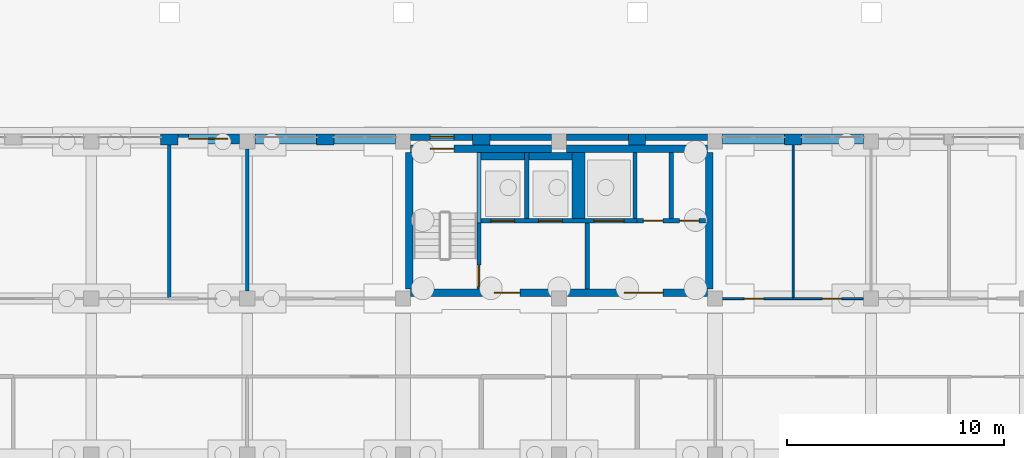
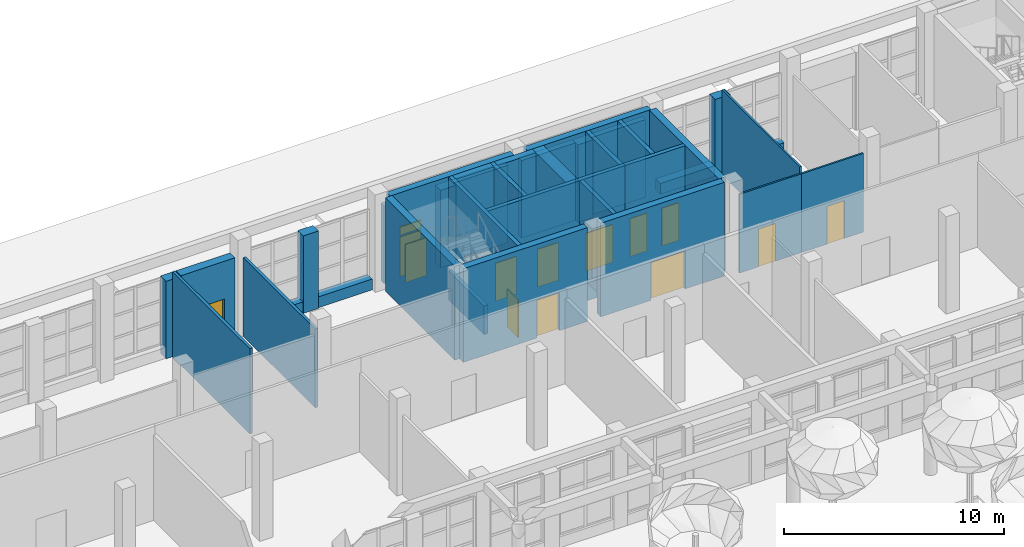
# One storey, part 50 of 80: 36 walls, 13 doors, 1 window, 14 openings.
"""IFC4 building model written with IfcOpenShell, lengths in metres."""

from ifc_helpers import new_model, si_unit, direction, frame, frame_2d, origin, place, context, subcontext, project, spatial, rectangle, extrude, material, layer, layer_set, type_object, element, fill, save


model = new_model("IFC4")

# Units and contexts
model_context = context("Model", 3, precision=1e-05, world=origin(), true_north=direction((0.0, 1.0)))
body_context = subcontext(model_context, "Body", "Model", "MODEL_VIEW")
ifc_project = project(units=[si_unit("LENGTHUNIT", "METRE"), si_unit("AREAUNIT", "SQUARE_METRE"), si_unit("VOLUMEUNIT", "CUBIC_METRE"), si_unit("PLANEANGLEUNIT", "RADIAN"), si_unit("MASSUNIT", "GRAM", prefix="KILO")], contexts=[model_context])

# Site, building, storey
site_placement = place(None, origin())
site = spatial("IfcSite", under=ifc_project, at=site_placement, CompositionType="ELEMENT")
building_placement = place(site_placement, origin())
building = spatial("IfcBuilding", under=site, at=building_placement, Name="Ussher Court Research Institute", CompositionType="ELEMENT")
storey_placement = place(building_placement, origin())
storey = spatial("IfcBuildingStorey", under=building, at=storey_placement, Name="L00", CompositionType="ELEMENT", Elevation=0.0)

# Wall, openings, door, window
ifc_material_1 = material(Name="Limestone facing on blockwork", Category="masonry")
ifc_layer_1 = layer(ifc_material_1, 0.300048828125)
ifc_layer_set_1 = layer_set([ifc_layer_1], Name="Limestone facing on blockwork")
wall_type_1 = type_object("IfcWallType", Name="External wall 300 stair enclosure", PredefinedType="SOLIDWALL", material=ifc_layer_set_1)
wall_1_placement = place(storey_placement, frame((46.550048828125, 90.64990234375, 0.0), z_axis=(0.0, 0.0, 1.0), x_axis=(1.0, 0.0, 0.0)))
wall_1 = element("IfcWall", 1, at=wall_1_placement, inside=storey, type_object=wall_type_1, Name="External wall EW5 L00", PredefinedType="SOLIDWALL", context=body_context, shape_type="SweptSolid", body=[
    extrude(rectangle(XDim=2.849853515625, YDim=0.300048828125, at=frame_2d((1.4248046875, 0.0))), origin(), (0.0, 0.0, 1.0), 4.300048828125),
])
opening_1_placement = place(wall_1_placement, frame((0.89990234375, 0.0, 0.0)))
opening_1 = element("IfcOpeningElement", 2, at=opening_1_placement, cuts=wall_1, Name="Opening DX20", PredefinedType="OPENING", context=body_context, shape_type="SweptSolid", body=[
    extrude(rectangle(XDim=1.10009765625, YDim=2.199951171875, at=frame_2d((0.550048828125, 1.10009765625))), frame((0.0, 0.16015625, 0.0), z_axis=(0.0, -1.0, 0.0), x_axis=(1.0, 0.0, 0.0)), (0.0, 0.0, 1.0), 0.320068359375),
])
opening_2_placement = place(wall_1_placement, frame((0.89990234375, 0.0, 2.300048828125)))
opening_2 = element("IfcOpeningElement", 3, at=opening_2_placement, cuts=wall_1, Name="Opening W18", PredefinedType="OPENING", context=body_context, shape_type="SweptSolid", body=[
    extrude(rectangle(XDim=1.10009765625, YDim=0.449951171875, at=frame_2d((0.550048828125, 0.22509765625))), frame((0.0, 0.16015625, 0.0), z_axis=(0.0, -1.0, 0.0), x_axis=(1.0, 0.0, 0.0)), (0.0, 0.0, 1.0), 0.320068359375),
])
ifc_material_2 = material(Name="Painted steel", Category="steel")
door_type_1 = type_object("IfcDoorType", Name="Stair discharge door 1100x2200", OperationType="SINGLE_SWING_LEFT", PredefinedType="DOOR", material=ifc_material_2)
door_1_placement = place(opening_1_placement, origin())
door_1 = element("IfcDoor", 4, at=door_1_placement, inside=storey, type_object=door_type_1, Name="Door DX20", OperationType="SINGLE_SWING_LEFT", OverallHeight=2.199951171875, OverallWidth=1.10009765625, PredefinedType="DOOR", context=body_context, shape_type="SweptSolid", body=[
    extrude(rectangle(XDim=1.10009765625, YDim=2.199951171875, at=frame_2d((0.550048828125, 1.10009765625))), frame((0.0, 0.02490234375, 0.0), z_axis=(0.0, -1.0, 0.0), x_axis=(1.0, 0.0, 0.0)), (0.0, 0.0, 1.0), 0.050048828125),
])
fill(opening_1, door_1)
ifc_material_3 = material(Name="Bronze anodised aluminium with double glazing", Category="aluminium")
window_type = type_object("IfcWindowType", Name="Stair discharge transom light 1100x450", PartitioningType="SINGLE_PANEL", PredefinedType="WINDOW", material=ifc_material_3)
window_placement = place(opening_2_placement, origin())
window = element("IfcWindow", 5, at=window_placement, inside=storey, type_object=window_type, Name="Window W18 L00", OverallHeight=0.449951171875, OverallWidth=1.10009765625, PartitioningType="SINGLE_PANEL", PredefinedType="WINDOW", context=body_context, shape_type="SweptSolid", body=[
    extrude(rectangle(XDim=1.10009765625, YDim=0.449951171875, at=frame_2d((0.550048828125, 0.22509765625))), frame((0.0, 0.030029296875, 0.0), z_axis=(0.0, -1.0, 0.0), x_axis=(1.0, 0.0, 0.0)), (0.0, 0.0, 1.0), 0.06005859375),
])
fill(opening_2, window)

# Walls
for number, where, z_axis, x_axis, name in (
    (6, (50.199951171875, 90.64990234375, 0.0), (0.0, 0.0, 1.0), (1.0, 0.0, 0.0), "External wall EW5 L00"),
    (7, (53.75, 90.64990234375, 0.0), (0.0, 0.0, 1.0), (1.0, 0.0, 0.0), "External wall EW5 L00"),
    (8, (57.39990234375, 90.64990234375, 0.0), (0.0, 0.0, 1.0), (1.0, 0.0, 0.0), "External wall EW5 L00"),
):
    element("IfcWall", number, at=place(storey_placement, frame(where, z_axis=z_axis, x_axis=x_axis)), inside=storey, type_object=wall_type_1, Name=name, PredefinedType="SOLIDWALL", context=body_context, shape_type="SweptSolid", body=[
        extrude(rectangle(XDim=2.85009765625, YDim=0.300048828125, at=frame_2d((1.425048828125, 0.0))), origin(), (0.0, 0.0, 1.0), 4.300048828125),
    ])
ifc_material_4 = material(Name="Plastered blockwork", Category="masonry")
ifc_layer_2 = layer(ifc_material_4, 0.14990234375)
ifc_layer_set_2 = layer_set([ifc_layer_2], Name="Plastered blockwork")
wall_type_2 = type_object("IfcWallType", Name="Fire partition blockwork 150 EI 60", PredefinedType="PARTITIONING", material=ifc_layer_set_2)
wall_2_placement = place(storey_placement, frame((35.39990234375, 83.25, 0.0), z_axis=(0.0, 0.0, 1.0), x_axis=(0.0, 1.0, 0.0)))
element("IfcWall", 9, at=wall_2_placement, inside=storey, type_object=wall_type_2, Name="Fire partition", PredefinedType="PARTITIONING", context=body_context, shape_type="SweptSolid", body=[
    extrude(rectangle(XDim=7.050048828125, YDim=0.14990234375, at=frame_2d((3.52490234375, 0.0))), origin(), (0.0, 0.0, 1.0), 4.719970703125),
])
wall_3_placement = place(storey_placement, frame((39.0, 83.550048828125, 0.0), z_axis=(0.0, 0.0, 1.0), x_axis=(0.0, 1.0, 0.0)))
element("IfcWall", 10, at=wall_3_placement, inside=storey, type_object=wall_type_2, Name="Fire partition", PredefinedType="PARTITIONING", context=body_context, shape_type="SweptSolid", body=[
    extrude(rectangle(XDim=6.550048828125, YDim=0.14990234375, at=frame_2d((3.27490234375, 0.0))), origin(), (0.0, 0.0, 1.0), 4.3701171875),
])
ifc_material_5 = material(Name="Rusticated limestone facing on blockwork", Category="masonry")
ifc_layer_3 = layer(ifc_material_5, 0.5)
ifc_layer_set_3 = layer_set([ifc_layer_3], Name="Rusticated limestone facing on blockwork")
wall_type_3 = type_object("IfcWallType", Name="Pier 800x500 rusticated limestone", PredefinedType="SOLIDWALL", material=ifc_layer_set_3)
for number, where, z_axis, x_axis, name in (
    (11, (35.0, 90.550048828125, 0.0), (0.0, 0.0, 1.0), (1.0, 0.0, 0.0), "Pier PR2 L00"),
    (12, (42.199951171875, 90.550048828125, 0.0), (0.0, 0.0, 1.0), (1.0, 0.0, 0.0), "Pier PR2 L00"),
    (13, (49.39990234375, 90.550048828125, 0.0), (0.0, 0.0, 1.0), (1.0, 0.0, 0.0), "Pier PR2 L00"),
):
    element("IfcWall", number, at=place(storey_placement, frame(where, z_axis=z_axis, x_axis=x_axis)), inside=storey, type_object=wall_type_3, Name=name, PredefinedType="SOLIDWALL", context=body_context, shape_type="SweptSolid", body=[
        extrude(rectangle(XDim=0.800048828125, YDim=0.5, at=frame_2d((0.39990234375, 0.0))), origin(), (0.0, 0.0, 1.0), 4.300048828125),
    ])
wall_4_placement = place(storey_placement, frame((56.60009765625, 90.550048828125, 0.0), z_axis=(0.0, 0.0, 1.0), x_axis=(1.0, 0.0, 0.0)))
element("IfcWall", 14, at=wall_4_placement, inside=storey, type_object=wall_type_3, Name="Pier PR2 L00", PredefinedType="SOLIDWALL", context=body_context, shape_type="SweptSolid", body=[
    extrude(rectangle(XDim=0.7998046875, YDim=0.5, at=frame_2d((0.39990234375, 0.0))), origin(), (0.0, 0.0, 1.0), 4.300048828125),
])
wall_5_placement = place(storey_placement, frame((63.800048828125, 90.550048828125, 0.0), z_axis=(0.0, 0.0, 1.0), x_axis=(1.0, 0.0, 0.0)))
element("IfcWall", 15, at=wall_5_placement, inside=storey, type_object=wall_type_3, Name="Pier PR2 L00", PredefinedType="SOLIDWALL", context=body_context, shape_type="SweptSolid", body=[
    extrude(rectangle(XDim=0.800048828125, YDim=0.5, at=frame_2d((0.39990234375, 0.0))), origin(), (0.0, 0.0, 1.0), 4.300048828125),
])

# Wall, opening, door
ifc_material_6 = material(Name="Rusticated limestone facing on blockwork", Category="masonry")
ifc_layer_4 = layer(ifc_material_6, 0.449951171875)
ifc_layer_set_4 = layer_set([ifc_layer_4], Name="Rusticated limestone facing on blockwork")
wall_type_4 = type_object("IfcWallType", Name="Plinth wall 450 rusticated limestone", PredefinedType="SOLIDWALL", material=ifc_layer_set_4)
wall_6_placement = place(storey_placement, frame((35.800048828125, 90.574951171875, 0.0), z_axis=(0.0, 0.0, 1.0), x_axis=(1.0, 0.0, 0.0)))
wall_6 = element("IfcWall", 16, at=wall_6_placement, inside=storey, type_object=wall_type_4, Name="External wall EW4 L00", PredefinedType="SOLIDWALL", context=body_context, shape_type="SweptSolid", body=[
    extrude(rectangle(XDim=2.849853515625, YDim=0.449951171875, at=frame_2d((1.4248046875, 0.0))), origin(), (0.0, 0.0, 1.0), 4.300048828125),
])
opening_3_placement = place(wall_6_placement, frame((0.5, 0.0, 0.0)))
opening_3 = element("IfcOpeningElement", 17, at=opening_3_placement, cuts=wall_6, Name="Opening DX19", PredefinedType="OPENING", context=body_context, shape_type="SweptSolid", body=[
    extrude(rectangle(XDim=1.800048828125, YDim=2.199951171875, at=frame_2d((0.89990234375, 1.10009765625))), frame((0.0, 0.23486328125, 0.0), z_axis=(0.0, -1.0, 0.0), x_axis=(1.0, 0.0, 0.0)), (0.0, 0.0, 1.0), 0.469970703125),
])
ifc_material_7 = material(Name="Galvanised steel louvred", Category="steel")
door_type_2 = type_object("IfcDoorType", Name="Plant double door 1800x2200", OperationType="DOUBLE_DOOR_SINGLE_SWING", PredefinedType="DOOR", material=ifc_material_7)
door_2_placement = place(opening_3_placement, origin())
door_2 = element("IfcDoor", 18, at=door_2_placement, inside=storey, type_object=door_type_2, Name="Door DX19", OperationType="SINGLE_SWING_LEFT", OverallHeight=2.199951171875, OverallWidth=1.800048828125, PredefinedType="DOOR", context=body_context, shape_type="SweptSolid", body=[
    extrude(rectangle(XDim=1.800048828125, YDim=2.199951171875, at=frame_2d((0.89990234375, 1.10009765625))), frame((0.0, 0.02490234375, 0.0), z_axis=(0.0, -1.0, 0.0), x_axis=(1.0, 0.0, 0.0)), (0.0, 0.0, 1.0), 0.050048828125),
])
fill(opening_3, door_2)

# Walls
wall_7_placement = place(storey_placement, frame((39.35009765625, 90.574951171875, 0.0), z_axis=(0.0, 0.0, 1.0), x_axis=(1.0, 0.0, 0.0)))
element("IfcWall", 19, at=wall_7_placement, inside=storey, type_object=wall_type_4, Name="Plinth wall EW4 L00", PredefinedType="SOLIDWALL", context=body_context, shape_type="SweptSolid", body=[
    extrude(rectangle(XDim=2.849853515625, YDim=0.449951171875, at=frame_2d((1.4248046875, 0.0))), origin(), (0.0, 0.0, 1.0), 0.60009765625),
])
for number, where, z_axis, x_axis, name in (
    (20, (43.0, 90.574951171875, 0.0), (0.0, 0.0, 1.0), (1.0, 0.0, 0.0), "Plinth wall EW4 L00"),
    (21, (60.949951171875, 90.574951171875, 0.0), (0.0, 0.0, 1.0), (1.0, 0.0, 0.0), "Plinth wall EW4 L00"),
):
    element("IfcWall", number, at=place(storey_placement, frame(where, z_axis=z_axis, x_axis=x_axis)), inside=storey, type_object=wall_type_4, Name=name, PredefinedType="SOLIDWALL", context=body_context, shape_type="SweptSolid", body=[
        extrude(rectangle(XDim=2.85009765625, YDim=0.449951171875, at=frame_2d((1.425048828125, 0.0))), origin(), (0.0, 0.0, 1.0), 0.60009765625),
    ])
wall_8_placement = place(storey_placement, frame((64.60009765625, 90.574951171875, 0.0), z_axis=(0.0, 0.0, 1.0), x_axis=(1.0, 0.0, 0.0)))
element("IfcWall", 22, at=wall_8_placement, inside=storey, type_object=wall_type_4, Name="Plinth wall EW4 L00", PredefinedType="SOLIDWALL", context=body_context, shape_type="SweptSolid", body=[
    extrude(rectangle(XDim=2.849853515625, YDim=0.449951171875, at=frame_2d((1.4248046875, 0.0))), origin(), (0.0, 0.0, 1.0), 0.60009765625),
])

# Wall, opening, door
ifc_material_8 = material(Name="Concrete C35/45", Category="concrete")
ifc_layer_5 = layer(ifc_material_8, 0.199951171875)
ifc_layer_set_5 = layer_set([ifc_layer_5], Name="Concrete C35/45")
wall_type_5 = type_object("IfcWallType", Name="RC core wall 200", PredefinedType="SHEAR", material=ifc_layer_set_5)
wall_9_placement = place(storey_placement, frame((49.699951171875, 83.64990234375, 0.0), z_axis=(0.0, 0.0, 1.0), x_axis=(0.0, 1.0, 0.0)))
wall_9 = element("IfcWall", 23, at=wall_9_placement, inside=storey, type_object=wall_type_5, Name="Core wall D2", PredefinedType="SHEAR", context=body_context, shape_type="SweptSolid", body=[
    extrude(rectangle(XDim=6.300048828125, YDim=0.199951171875, at=frame_2d((3.14990234375, 0.0))), origin(), (0.0, 0.0, 1.0), 5.199951171875),
])
opening_4_placement = place(wall_9_placement, frame((0.10009765625, 0.0, 0.0)))
opening_4 = element("IfcOpeningElement", 24, at=opening_4_placement, cuts=wall_9, Name="Opening D00041", PredefinedType="OPENING", context=body_context, shape_type="SweptSolid", body=[
    extrude(rectangle(XDim=1.0, YDim=2.10009765625, at=frame_2d((0.5, 1.050048828125))), frame((0.0, 0.10986328125, 0.0), z_axis=(0.0, -1.0, 0.0), x_axis=(1.0, 0.0, 0.0)), (0.0, 0.0, 1.0), 0.219970703125),
])
ifc_material_9 = material(Name="Painted steel faced fire door", Category="steel")
door_type_3 = type_object("IfcDoorType", Name="Fire door 1000x2100 FD60", OperationType="NOTDEFINED", PredefinedType="DOOR", material=ifc_material_9)
door_3_placement = place(opening_4_placement, origin())
door_3 = element("IfcDoor", 25, at=door_3_placement, inside=storey, type_object=door_type_3, Name="Door D00041", OperationType="SINGLE_SWING_LEFT", OverallHeight=2.10009765625, OverallWidth=1.0, PredefinedType="DOOR", context=body_context, shape_type="SweptSolid", body=[
    extrude(rectangle(XDim=1.0, YDim=2.10009765625, at=frame_2d((0.5, 1.050048828125))), frame((0.0, 0.02490234375, 0.0), z_axis=(0.0, -1.0, 0.0), x_axis=(1.0, 0.0, 0.0)), (0.0, 0.0, 1.0), 0.050048828125),
])
fill(opening_4, door_3)

# Walls
wall_10_placement = place(storey_placement, frame((49.699951171875, 86.699951171875, -1.60009765625), z_axis=(0.0, 0.0, 1.0), x_axis=(0.0, 1.0, 0.0)))
element("IfcWall", 26, at=wall_10_placement, inside=storey, type_object=wall_type_5, Name="Pit wall D2", PredefinedType="SHEAR", context=body_context, shape_type="SweptSolid", body=[
    extrude(rectangle(XDim=3.25, YDim=0.199951171875, at=frame_2d((1.625, 0.0))), origin(), (0.0, 0.0, 1.0), 1.60009765625),
])
wall_11_placement = place(storey_placement, frame((54.699951171875, 83.64990234375, 0.0), z_axis=(0.0, 0.0, 1.0), x_axis=(0.0, 1.0, 0.0)))
element("IfcWall", 27, at=wall_11_placement, inside=storey, type_object=wall_type_5, Name="Core wall D2", PredefinedType="SHEAR", context=body_context, shape_type="SweptSolid", body=[
    extrude(rectangle(XDim=3.050048828125, YDim=0.199951171875, at=frame_2d((1.52490234375, 0.0))), origin(), (0.0, 0.0, 1.0), 5.199951171875),
])

# Wall, openings, doors
wall_12_placement = place(storey_placement, frame((57.0, 86.800048828125, -1.60009765625), z_axis=(0.0, 0.0, 1.0), x_axis=(-1.0, 0.0, 0.0)))
wall_12 = element("IfcWall", 28, at=wall_12_placement, inside=storey, type_object=wall_type_5, Name="Core wall D2", PredefinedType="SHEAR", context=body_context, shape_type="SweptSolid", body=[
    extrude(rectangle(XDim=7.199951171875, YDim=0.199951171875, at=frame_2d((3.60009765625, 0.0))), origin(), (0.0, 0.0, 1.0), 6.800048828125),
])
opening_5_placement = place(wall_12_placement, frame((5.64990234375, 0.0, 1.60009765625)))
opening_5 = element("IfcOpeningElement", 29, at=opening_5_placement, cuts=wall_12, Name="Opening LD06", PredefinedType="OPENING", context=body_context, shape_type="SweptSolid", body=[
    extrude(rectangle(XDim=1.10009765625, YDim=2.10009765625, at=frame_2d((0.550048828125, 1.050048828125))), frame((0.0, 0.10986328125, 0.0), z_axis=(0.0, -1.0, 0.0), x_axis=(1.0, 0.0, 0.0)), (0.0, 0.0, 1.0), 0.219970703125),
])
opening_6_placement = place(wall_12_placement, frame((3.449951171875, 0.0, 1.60009765625)))
opening_6 = element("IfcOpeningElement", 30, at=opening_6_placement, cuts=wall_12, Name="Opening LD07", PredefinedType="OPENING", context=body_context, shape_type="SweptSolid", body=[
    extrude(rectangle(XDim=1.10009765625, YDim=2.10009765625, at=frame_2d((0.550048828125, 1.050048828125))), frame((0.0, 0.10986328125, 0.0), z_axis=(0.0, -1.0, 0.0), x_axis=(1.0, 0.0, 0.0)), (0.0, 0.0, 1.0), 0.219970703125),
])
opening_7_placement = place(wall_12_placement, frame((0.60009765625, 0.0, 1.60009765625)))
opening_7 = element("IfcOpeningElement", 31, at=opening_7_placement, cuts=wall_12, Name="Opening LD08", PredefinedType="OPENING", context=body_context, shape_type="SweptSolid", body=[
    extrude(rectangle(XDim=1.39990234375, YDim=2.10009765625, at=frame_2d((0.699951171875, 1.050048828125))), frame((0.0, 0.10986328125, 0.0), z_axis=(0.0, -1.0, 0.0), x_axis=(1.0, 0.0, 0.0)), (0.0, 0.0, 1.0), 0.219970703125),
])
ifc_material_10 = material(Name="Stainless steel lift door", Category="steel")
door_type_4 = type_object("IfcDoorType", Name="Lift landing door 1100x2100 sliding", OperationType="DOUBLE_DOOR_SLIDING", PredefinedType="DOOR", material=ifc_material_10)
door_4_placement = place(opening_5_placement, origin())
door_4 = element("IfcDoor", 32, at=door_4_placement, inside=storey, type_object=door_type_4, Name="Landing door D2-1 L00", OperationType="DOUBLE_DOOR_SLIDING", OverallHeight=2.10009765625, OverallWidth=1.10009765625, PredefinedType="DOOR", context=body_context, shape_type="SweptSolid", body=[
    extrude(rectangle(XDim=1.10009765625, YDim=2.10009765625, at=frame_2d((0.550048828125, 1.050048828125))), frame((0.0, 0.02490234375, 0.0), z_axis=(0.0, -1.0, 0.0), x_axis=(1.0, 0.0, 0.0)), (0.0, 0.0, 1.0), 0.050048828125),
])
fill(opening_5, door_4)
door_5_placement = place(opening_6_placement, origin())
door_5 = element("IfcDoor", 33, at=door_5_placement, inside=storey, type_object=door_type_4, Name="Landing door D2-2 L00", OperationType="DOUBLE_DOOR_SLIDING", OverallHeight=2.10009765625, OverallWidth=1.10009765625, PredefinedType="DOOR", context=body_context, shape_type="SweptSolid", body=[
    extrude(rectangle(XDim=1.10009765625, YDim=2.10009765625, at=frame_2d((0.550048828125, 1.050048828125))), frame((0.0, 0.02490234375, 0.0), z_axis=(0.0, -1.0, 0.0), x_axis=(1.0, 0.0, 0.0)), (0.0, 0.0, 1.0), 0.050048828125),
])
fill(opening_6, door_5)
ifc_material_11 = material(Name="Stainless steel lift door", Category="steel")
door_type_5 = type_object("IfcDoorType", Name="Lift landing door 1400x2100 sliding", OperationType="DOUBLE_DOOR_SLIDING", PredefinedType="DOOR", material=ifc_material_11)
door_6_placement = place(opening_7_placement, origin())
door_6 = element("IfcDoor", 34, at=door_6_placement, inside=storey, type_object=door_type_5, Name="Landing door D2-3 L00", OperationType="DOUBLE_DOOR_SLIDING", OverallHeight=2.10009765625, OverallWidth=1.39990234375, PredefinedType="DOOR", context=body_context, shape_type="SweptSolid", body=[
    extrude(rectangle(XDim=1.39990234375, YDim=2.10009765625, at=frame_2d((0.699951171875, 1.050048828125))), frame((0.0, 0.02490234375, 0.0), z_axis=(0.0, -1.0, 0.0), x_axis=(1.0, 0.0, 0.0)), (0.0, 0.0, 1.0), 0.050048828125),
])
fill(opening_7, door_6)

wall_13_placement = place(storey_placement, frame((60.14990234375, 86.800048828125, 0.0), z_axis=(0.0, 0.0, 1.0), x_axis=(-1.0, 0.0, 0.0)))
wall_13 = element("IfcWall", 35, at=wall_13_placement, inside=storey, type_object=wall_type_5, Name="Core wall D2", PredefinedType="SHEAR", context=body_context, shape_type="SweptSolid", body=[
    extrude(rectangle(XDim=3.14990234375, YDim=0.199951171875, at=frame_2d((1.574951171875, 0.0))), origin(), (0.0, 0.0, 1.0), 5.199951171875),
])
opening_8_placement = place(wall_13_placement, frame((1.96240234375, 0.0, 0.0)))
opening_8 = element("IfcOpeningElement", 36, at=opening_8_placement, cuts=wall_13, Name="Opening D00047", PredefinedType="OPENING", context=body_context, shape_type="SweptSolid", body=[
    extrude(rectangle(XDim=0.89990234375, YDim=2.10009765625, at=frame_2d((0.449951171875, 1.050048828125))), frame((0.0, 0.10986328125, 0.0), z_axis=(0.0, -1.0, 0.0), x_axis=(1.0, 0.0, 0.0)), (0.0, 0.0, 1.0), 0.219970703125),
])
opening_9_placement = place(wall_13_placement, frame((0.28759765625, 0.0, 0.0)))
opening_9 = element("IfcOpeningElement", 37, at=opening_9_placement, cuts=wall_13, Name="Opening D00050", PredefinedType="OPENING", context=body_context, shape_type="SweptSolid", body=[
    extrude(rectangle(XDim=0.89990234375, YDim=2.10009765625, at=frame_2d((0.449951171875, 1.050048828125))), frame((0.0, 0.10986328125, 0.0), z_axis=(0.0, -1.0, 0.0), x_axis=(1.0, 0.0, 0.0)), (0.0, 0.0, 1.0), 0.219970703125),
])
ifc_material_12 = material(Name="Painted steel faced fire door", Category="steel")
door_type_6 = type_object("IfcDoorType", Name="Fire door 900x2100 FD60", OperationType="NOTDEFINED", PredefinedType="DOOR", material=ifc_material_12)
door_7_placement = place(opening_8_placement, origin())
door_7 = element("IfcDoor", 38, at=door_7_placement, inside=storey, type_object=door_type_6, Name="Door D00047", OperationType="SINGLE_SWING_RIGHT", OverallHeight=2.10009765625, OverallWidth=0.89990234375, PredefinedType="DOOR", context=body_context, shape_type="SweptSolid", body=[
    extrude(rectangle(XDim=0.89990234375, YDim=2.10009765625, at=frame_2d((0.449951171875, 1.050048828125))), frame((0.0, 0.02490234375, 0.0), z_axis=(0.0, -1.0, 0.0), x_axis=(1.0, 0.0, 0.0)), (0.0, 0.0, 1.0), 0.050048828125),
])
fill(opening_8, door_7)
door_8_placement = place(opening_9_placement, origin())
door_8 = element("IfcDoor", 39, at=door_8_placement, inside=storey, type_object=door_type_6, Name="Door D00050", OperationType="SINGLE_SWING_LEFT", OverallHeight=2.10009765625, OverallWidth=0.89990234375, PredefinedType="DOOR", context=body_context, shape_type="SweptSolid", body=[
    extrude(rectangle(XDim=0.89990234375, YDim=2.10009765625, at=frame_2d((0.449951171875, 1.050048828125))), frame((0.0, 0.02490234375, 0.0), z_axis=(0.0, -1.0, 0.0), x_axis=(1.0, 0.0, 0.0)), (0.0, 0.0, 1.0), 0.050048828125),
])
fill(opening_9, door_8)

# Walls
for number, where, z_axis, x_axis, name in (
    (40, (51.89990234375, 86.89990234375, -1.60009765625), (0.0, 0.0, 1.0), (0.0, 1.0, 0.0), "Core wall D2"),
    (41, (56.89990234375, 86.89990234375, -1.60009765625), (0.0, 0.0, 1.0), (0.0, 1.0, 0.0), "Core wall D2"),
):
    element("IfcWall", number, at=place(storey_placement, frame(where, z_axis=z_axis, x_axis=x_axis)), inside=storey, type_object=wall_type_5, Name=name, PredefinedType="SHEAR", context=body_context, shape_type="SweptSolid", body=[
        extrude(rectangle(XDim=3.050048828125, YDim=0.199951171875, at=frame_2d((1.52490234375, 0.0))), origin(), (0.0, 0.0, 1.0), 6.800048828125),
    ])
wall_14_placement = place(storey_placement, frame((58.574951171875, 86.89990234375, 0.0), z_axis=(0.0, 0.0, 1.0), x_axis=(0.0, 1.0, 0.0)))
element("IfcWall", 42, at=wall_14_placement, inside=storey, type_object=wall_type_5, Name="Core wall D2", PredefinedType="SHEAR", context=body_context, shape_type="SweptSolid", body=[
    extrude(rectangle(XDim=3.050048828125, YDim=0.199951171875, at=frame_2d((1.52490234375, 0.0))), origin(), (0.0, 0.0, 1.0), 5.199951171875),
])

# Wall, opening, door
ifc_material_13 = material(Name="Concrete C35/45", Category="concrete")
ifc_layer_6 = layer(ifc_material_13, 0.35009765625)
ifc_layer_set_6 = layer_set([ifc_layer_6], Name="Concrete C35/45")
wall_type_6 = type_object("IfcWallType", Name="RC core wall 350", PredefinedType="SHEAR", material=ifc_layer_set_6)
wall_15_placement = place(storey_placement, frame((46.550048828125, 83.47509765625, 0.0), z_axis=(0.0, 0.0, 1.0), x_axis=(1.0, 0.0, 0.0)))
wall_15 = element("IfcWall", 43, at=wall_15_placement, inside=storey, type_object=wall_type_6, Name="Core wall D2", PredefinedType="SHEAR", context=body_context, shape_type="SweptSolid", body=[
    extrude(rectangle(XDim=6.5, YDim=0.35009765625, at=frame_2d((3.25, 0.0))), origin(), (0.0, 0.0, 1.0), 5.199951171875),
])
opening_10_placement = place(wall_15_placement, frame((3.85009765625, 0.0, 0.0)))
opening_10 = element("IfcOpeningElement", 44, at=opening_10_placement, cuts=wall_15, Name="Opening D00043", PredefinedType="OPENING", context=body_context, shape_type="SweptSolid", body=[
    extrude(rectangle(XDim=1.199951171875, YDim=2.10009765625, at=frame_2d((0.60009765625, 1.050048828125))), frame((0.0, 0.18505859375, 0.0), z_axis=(0.0, -1.0, 0.0), x_axis=(1.0, 0.0, 0.0)), (0.0, 0.0, 1.0), 0.3701171875),
])
ifc_material_14 = material(Name="Painted steel faced fire door", Category="steel")
door_type_7 = type_object("IfcDoorType", Name="Fire door 1200x2100 FD60", OperationType="NOTDEFINED", PredefinedType="DOOR", material=ifc_material_14)
door_9_placement = place(opening_10_placement, origin())
door_9 = element("IfcDoor", 45, at=door_9_placement, inside=storey, type_object=door_type_7, Name="Door D00043", OperationType="SINGLE_SWING_RIGHT", OverallHeight=2.10009765625, OverallWidth=1.199951171875, PredefinedType="DOOR", context=body_context, shape_type="SweptSolid", body=[
    extrude(rectangle(XDim=1.199951171875, YDim=2.10009765625, at=frame_2d((0.60009765625, 1.050048828125))), frame((0.0, 0.02490234375, 0.0), z_axis=(0.0, -1.0, 0.0), x_axis=(1.0, 0.0, 0.0)), (0.0, 0.0, 1.0), 0.050048828125),
])
fill(opening_10, door_9)

wall_16_placement = place(storey_placement, frame((53.75, 83.47509765625, 0.0), z_axis=(0.0, 0.0, 1.0), x_axis=(1.0, 0.0, 0.0)))
wall_16 = element("IfcWall", 46, at=wall_16_placement, inside=storey, type_object=wall_type_6, Name="Core wall D2", PredefinedType="SHEAR", context=body_context, shape_type="SweptSolid", body=[
    extrude(rectangle(XDim=6.5, YDim=0.35009765625, at=frame_2d((3.25, 0.0))), origin(), (0.0, 0.0, 1.0), 5.199951171875),
])
opening_11_placement = place(wall_16_placement, frame((2.64990234375, 0.0, 0.0)))
opening_11 = element("IfcOpeningElement", 47, at=opening_11_placement, cuts=wall_16, Name="Opening D00046", PredefinedType="OPENING", context=body_context, shape_type="SweptSolid", body=[
    extrude(rectangle(XDim=1.800048828125, YDim=2.10009765625, at=frame_2d((0.89990234375, 1.050048828125))), frame((0.0, 0.18505859375, 0.0), z_axis=(0.0, -1.0, 0.0), x_axis=(1.0, 0.0, 0.0)), (0.0, 0.0, 1.0), 0.3701171875),
])
ifc_material_15 = material(Name="Painted steel faced fire door", Category="steel")
door_type_8 = type_object("IfcDoorType", Name="Fire door 1800x2100 FD60 double leaf", OperationType="DOUBLE_DOOR_SINGLE_SWING", PredefinedType="DOOR", material=ifc_material_15)
door_10_placement = place(opening_11_placement, origin())
door_10 = element("IfcDoor", 48, at=door_10_placement, inside=storey, type_object=door_type_8, Name="Door D00046", OperationType="SINGLE_SWING_LEFT", OverallHeight=2.10009765625, OverallWidth=1.800048828125, PredefinedType="DOOR", context=body_context, shape_type="SweptSolid", body=[
    extrude(rectangle(XDim=1.800048828125, YDim=2.10009765625, at=frame_2d((0.89990234375, 1.050048828125))), frame((0.0, 0.02490234375, 0.0), z_axis=(0.0, -1.0, 0.0), x_axis=(1.0, 0.0, 0.0)), (0.0, 0.0, 1.0), 0.050048828125),
])
fill(opening_11, door_10)

wall_17_placement = place(storey_placement, frame((46.550048828125, 90.125, 0.0), z_axis=(0.0, 0.0, 1.0), x_axis=(1.0, 0.0, 0.0)))
wall_17 = element("IfcWall", 49, at=wall_17_placement, inside=storey, type_object=wall_type_6, Name="Core wall D2", PredefinedType="SHEAR", context=body_context, shape_type="SweptSolid", body=[
    extrude(rectangle(XDim=6.5, YDim=0.35009765625, at=frame_2d((3.25, 0.0))), origin(), (0.0, 0.0, 1.0), 5.199951171875),
])
opening_12_placement = place(wall_17_placement, frame((0.89990234375, 0.0, 0.0)))
opening_12 = element("IfcOpeningElement", 50, at=opening_12_placement, cuts=wall_17, Name="Opening D00040", PredefinedType="OPENING", context=body_context, shape_type="SweptSolid", body=[
    extrude(rectangle(XDim=1.10009765625, YDim=2.10009765625, at=frame_2d((0.550048828125, 1.050048828125))), frame((0.0, 0.18505859375, 0.0), z_axis=(0.0, -1.0, 0.0), x_axis=(1.0, 0.0, 0.0)), (0.0, 0.0, 1.0), 0.3701171875),
])
ifc_material_16 = material(Name="Painted steel faced fire door", Category="steel")
door_type_9 = type_object("IfcDoorType", Name="Fire door 1100x2100 FD60", OperationType="NOTDEFINED", PredefinedType="DOOR", material=ifc_material_16)
door_11_placement = place(opening_12_placement, origin())
door_11 = element("IfcDoor", 51, at=door_11_placement, inside=storey, type_object=door_type_9, Name="Door D00040", OperationType="SINGLE_SWING_LEFT", OverallHeight=2.10009765625, OverallWidth=1.10009765625, PredefinedType="DOOR", context=body_context, shape_type="SweptSolid", body=[
    extrude(rectangle(XDim=1.10009765625, YDim=2.10009765625, at=frame_2d((0.550048828125, 1.050048828125))), frame((0.0, 0.02490234375, 0.0), z_axis=(0.0, -1.0, 0.0), x_axis=(1.0, 0.0, 0.0)), (0.0, 0.0, 1.0), 0.050048828125),
])
fill(opening_12, door_11)

# Walls
wall_18_placement = place(storey_placement, frame((53.75, 90.125, 0.0), z_axis=(0.0, 0.0, 1.0), x_axis=(1.0, 0.0, 0.0)))
element("IfcWall", 52, at=wall_18_placement, inside=storey, type_object=wall_type_6, Name="Core wall D2", PredefinedType="SHEAR", context=body_context, shape_type="SweptSolid", body=[
    extrude(rectangle(XDim=6.5, YDim=0.35009765625, at=frame_2d((3.25, 0.0))), origin(), (0.0, 0.0, 1.0), 5.199951171875),
])
for number, where, z_axis, x_axis, name in (
    (53, (46.47509765625, 83.64990234375, 0.0), (0.0, 0.0, 1.0), (0.0, 1.0, 0.0), "Core wall D2"),
    (54, (60.324951171875, 83.64990234375, 0.0), (0.0, 0.0, 1.0), (0.0, 1.0, 0.0), "Core wall D2"),
):
    element("IfcWall", number, at=place(storey_placement, frame(where, z_axis=z_axis, x_axis=x_axis)), inside=storey, type_object=wall_type_6, Name=name, PredefinedType="SHEAR", context=body_context, shape_type="SweptSolid", body=[
        extrude(rectangle(XDim=6.300048828125, YDim=0.35009765625, at=frame_2d((3.14990234375, 0.0))), origin(), (0.0, 0.0, 1.0), 5.199951171875),
    ])
for number, where, z_axis, x_axis, name in (
    (55, (49.800048828125, 89.77490234375, -1.60009765625), (0.0, 0.0, 1.0), (1.0, 0.0, 0.0), "Core wall D2"),
    (56, (52.0, 89.77490234375, -1.60009765625), (0.0, 0.0, 1.0), (1.0, 0.0, 0.0), "Core wall D2"),
):
    element("IfcWall", number, at=place(storey_placement, frame(where, z_axis=z_axis, x_axis=x_axis)), inside=storey, type_object=wall_type_6, Name=name, PredefinedType="SHEAR", context=body_context, shape_type="SweptSolid", body=[
        extrude(rectangle(XDim=2.0, YDim=0.35009765625, at=frame_2d((1.0, 0.0))), origin(), (0.0, 0.0, 1.0), 6.800048828125),
    ])
ifc_material_17 = material(Name="Concrete C35/45", Category="concrete")
ifc_layer_7 = layer(ifc_material_17, 0.60009765625)
ifc_layer_set_7 = layer_set([ifc_layer_7], Name="Concrete C35/45")
wall_type_7 = type_object("IfcWallType", Name="RC core wall 600", PredefinedType="SHEAR", material=ifc_layer_set_7)
wall_19_placement = place(storey_placement, frame((54.300048828125, 86.89990234375, -1.60009765625), z_axis=(0.0, 0.0, 1.0), x_axis=(0.0, 1.0, 0.0)))
element("IfcWall", 57, at=wall_19_placement, inside=storey, type_object=wall_type_7, Name="Core wall D2", PredefinedType="SHEAR", context=body_context, shape_type="SweptSolid", body=[
    extrude(rectangle(XDim=3.050048828125, YDim=0.60009765625, at=frame_2d((1.52490234375, 0.0))), origin(), (0.0, 0.0, 1.0), 6.800048828125),
])

# Wall, opening, door
ifc_material_18 = material(Name="Moisture-resistant board on steel studs", Category="steel")
ifc_layer_8 = layer(ifc_material_18, 0.090087890625)
ifc_layer_set_8 = layer_set([ifc_layer_8], Name="Moisture-resistant board on steel studs")
wall_type_8 = type_object("IfcWallType", Name="WC lining partition 90", PredefinedType="PARTITIONING", material=ifc_layer_set_8)
wall_20_placement = place(storey_placement, frame((60.949951171875, 83.199951171875, 0.0), z_axis=(0.0, 0.0, 1.0), x_axis=(1.0, 0.0, 0.0)))
wall_20 = element("IfcWall", 58, at=wall_20_placement, inside=storey, type_object=wall_type_8, Name="Partition", PredefinedType="PARTITIONING", context=body_context, shape_type="SweptSolid", body=[
    extrude(rectangle(XDim=3.25, YDim=0.090087890625, at=frame_2d((1.625, 0.0))), origin(), (0.0, 0.0, 1.0), 4.3701171875),
])
opening_13_placement = place(wall_20_placement, frame((1.0, 0.0, 0.0)))
opening_13 = element("IfcOpeningElement", 59, at=opening_13_placement, cuts=wall_20, Name="Opening D00051", PredefinedType="OPENING", context=body_context, shape_type="SweptSolid", body=[
    extrude(rectangle(XDim=0.89990234375, YDim=2.10009765625, at=frame_2d((0.449951171875, 1.050048828125))), frame((0.0, 0.05517578125, 0.0), z_axis=(0.0, -1.0, 0.0), x_axis=(1.0, 0.0, 0.0)), (0.0, 0.0, 1.0), 0.110107421875),
])
ifc_material_19 = material(Name="Veneered timber door", Category="wood")
door_type_10 = type_object("IfcDoorType", Name="WC door 900x2100", OperationType="NOTDEFINED", PredefinedType="DOOR", material=ifc_material_19)
door_12_placement = place(opening_13_placement, origin())
door_12 = element("IfcDoor", 60, at=door_12_placement, inside=storey, type_object=door_type_10, Name="Door D00051", OperationType="SINGLE_SWING_LEFT", OverallHeight=2.10009765625, OverallWidth=0.89990234375, PredefinedType="DOOR", context=body_context, shape_type="SweptSolid", body=[
    extrude(rectangle(XDim=0.89990234375, YDim=2.10009765625, at=frame_2d((0.449951171875, 1.050048828125))), frame((0.0, 0.02490234375, 0.0), z_axis=(0.0, -1.0, 0.0), x_axis=(1.0, 0.0, 0.0)), (0.0, 0.0, 1.0), 0.050048828125),
])
fill(opening_13, door_12)

wall_21_placement = place(storey_placement, frame((64.199951171875, 83.199951171875, 0.0), z_axis=(0.0, 0.0, 1.0), x_axis=(1.0, 0.0, 0.0)))
wall_21 = element("IfcWall", 61, at=wall_21_placement, inside=storey, type_object=wall_type_8, Name="Partition", PredefinedType="PARTITIONING", context=body_context, shape_type="SweptSolid", body=[
    extrude(rectangle(XDim=3.25, YDim=0.090087890625, at=frame_2d((1.625, 0.0))), origin(), (0.0, 0.0, 1.0), 4.3701171875),
])
opening_14_placement = place(wall_21_placement, frame((1.35009765625, 0.0, 0.0)))
opening_14 = element("IfcOpeningElement", 62, at=opening_14_placement, cuts=wall_21, Name="Opening D00053", PredefinedType="OPENING", context=body_context, shape_type="SweptSolid", body=[
    extrude(rectangle(XDim=0.89990234375, YDim=2.10009765625, at=frame_2d((0.449951171875, 1.050048828125))), frame((0.0, 0.05517578125, 0.0), z_axis=(0.0, -1.0, 0.0), x_axis=(1.0, 0.0, 0.0)), (0.0, 0.0, 1.0), 0.110107421875),
])
door_13_placement = place(opening_14_placement, origin())
door_13 = element("IfcDoor", 63, at=door_13_placement, inside=storey, type_object=door_type_10, Name="Door D00053", OperationType="SINGLE_SWING_RIGHT", OverallHeight=2.10009765625, OverallWidth=0.89990234375, PredefinedType="DOOR", context=body_context, shape_type="SweptSolid", body=[
    extrude(rectangle(XDim=0.89990234375, YDim=2.10009765625, at=frame_2d((0.449951171875, 1.050048828125))), frame((0.0, 0.02490234375, 0.0), z_axis=(0.0, -1.0, 0.0), x_axis=(1.0, 0.0, 0.0)), (0.0, 0.0, 1.0), 0.050048828125),
])
fill(opening_14, door_13)

# Wall
wall_22_placement = place(storey_placement, frame((64.199951171875, 83.2451171875, 0.0), z_axis=(0.0, 0.0, 1.0), x_axis=(0.0, 1.0, 0.0)))
element("IfcWall", 64, at=wall_22_placement, inside=storey, type_object=wall_type_8, Name="Partition", PredefinedType="PARTITIONING", context=body_context, shape_type="SweptSolid", body=[
    extrude(rectangle(XDim=7.054931640625, YDim=0.090087890625, at=frame_2d((3.52734375, 0.0))), origin(), (0.0, 0.0, 1.0), 4.719970703125),
])

save(model, "model.ifc")
